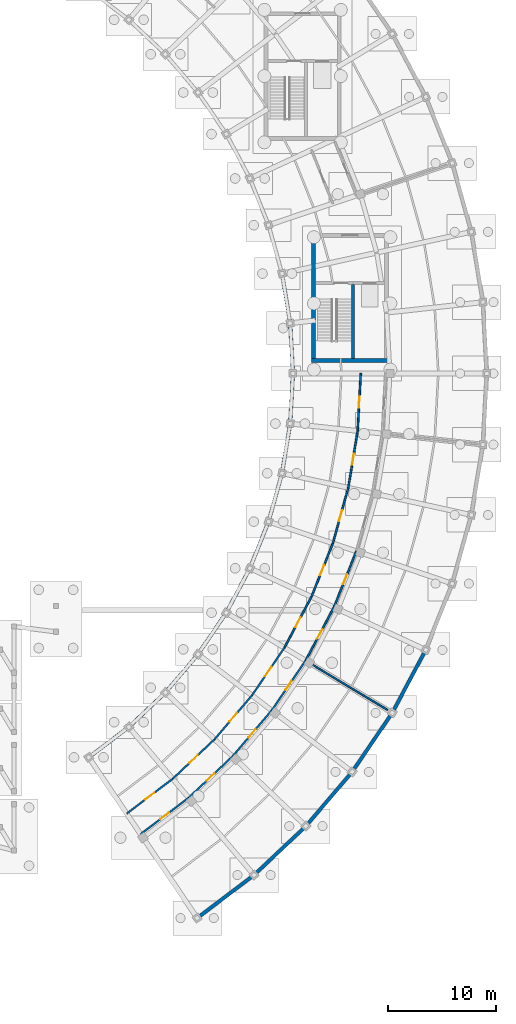
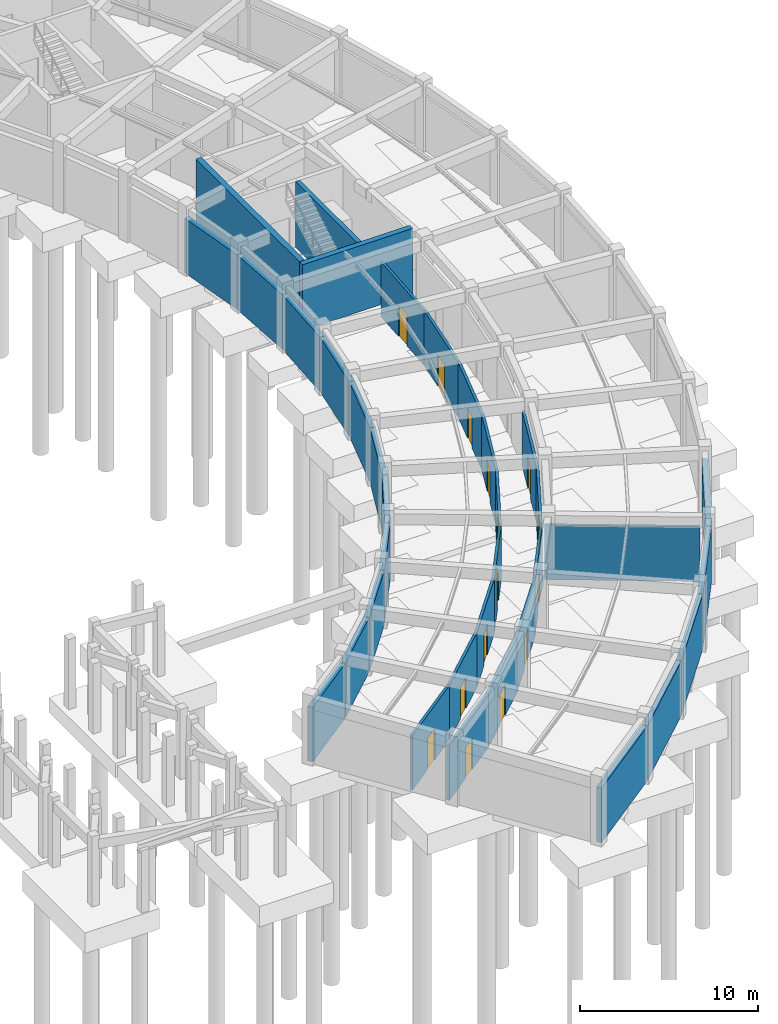
# One storey, part 25 of 42: 35 walls, 15 doors, 15 openings.
"""IFC4 building model written with IfcOpenShell, lengths in metres."""

from ifc_helpers import new_model, si_unit, direction, frame, frame_2d, origin, place, context, subcontext, project, spatial, rectangle, extrude, material, layer, layer_set, type_object, element, fill, save


model = new_model("IFC4")

# Units and contexts
model_context = context("Model", 3, precision=1e-05, world=origin(), true_north=direction((0.0, 1.0)))
body_context = subcontext(model_context, "Body", "Model", "MODEL_VIEW")
ifc_project = project(units=[si_unit("LENGTHUNIT", "METRE"), si_unit("AREAUNIT", "SQUARE_METRE"), si_unit("VOLUMEUNIT", "CUBIC_METRE"), si_unit("PLANEANGLEUNIT", "RADIAN"), si_unit("MASSUNIT", "GRAM", prefix="KILO")], contexts=[model_context])

# Site, building, storey
site_placement = place(None, origin())
site = spatial("IfcSite", under=ifc_project, at=site_placement, CompositionType="ELEMENT")
building_placement = place(site_placement, origin())
building = spatial("IfcBuilding", under=site, at=building_placement, Name="Tarnveldt Headland Concert Hall", CompositionType="ELEMENT")
storey_placement = place(building_placement, frame((0.0, 0.0, -4.800048828125)))
storey = spatial("IfcBuildingStorey", under=building, at=storey_placement, Name="B1", CompositionType="ELEMENT", Elevation=-4.800048828125)

# Walls
ifc_material_1 = material(Name="Concrete C40/50", Category="concrete")
ifc_layer_1 = layer(ifc_material_1, 0.35009765625, Name="Concrete C40/50", Category="concrete")
ifc_layer_set_1 = layer_set([ifc_layer_1], Name="Concrete C40/50")
wall_type_1 = type_object("IfcWallType", Name="WL-CR350", PredefinedType="SHEAR", material=ifc_layer_set_1)
wall_1_placement = place(storey_placement, frame((162.22509765625, 61.199951171875, 0.0), z_axis=(0.0, 0.0, 1.0), x_axis=(1.0, 0.0, 0.0)))
element("IfcWall", 1, at=wall_1_placement, inside=storey, type_object=wall_type_1, Name="Core C4 south shear wall B1", PredefinedType="SHEAR", context=body_context, shape_type="SweptSolid", body=[
    extrude(rectangle(XDim=7.14990234375, YDim=0.35009765625, at=frame_2d((3.574951171875, 0.0))), origin(), (0.0, 0.0, 1.0), 4.5),
])
wall_2_placement = place(storey_placement, frame((162.39990234375, 61.375, 0.0), z_axis=(0.0, 0.0, 1.0), x_axis=(0.0, 1.0, 0.0)))
element("IfcWall", 2, at=wall_2_placement, inside=storey, type_object=wall_type_1, Name="Core C4 west shear wall B1", PredefinedType="SHEAR", context=body_context, shape_type="SweptSolid", body=[
    extrude(rectangle(XDim=11.60009765625, YDim=0.35009765625, at=frame_2d((5.800048828125, 0.0))), origin(), (0.0, 0.0, 1.0), 4.5),
])
ifc_material_2 = material(Name="Coral-toned precast concrete C40/50", Category="concrete")
ifc_layer_2 = layer(ifc_material_2, 0.324951171875, Name="Coral-toned precast concrete C40/50", Category="concrete")
ifc_layer_set_2 = layer_set([ifc_layer_2], Name="Coral-toned precast concrete C40/50")
wall_type_2 = type_object("IfcWallType", Name="WL-EX325", PredefinedType="SOLIDWALL", material=ifc_layer_set_2)
wall_3_placement = place(storey_placement, frame((141.561279296875, 24.363525390625, 0.0), z_axis=(0.0, 0.0, 1.0), x_axis=(0.797466762723, 0.603362877837, 0.0)))
element("IfcWall", 3, at=wall_3_placement, inside=storey, type_object=wall_type_2, Name="External precast wall B1-47", PredefinedType="SOLIDWALL", context=body_context, shape_type="SweptSolid", body=[
    extrude(rectangle(XDim=4.62744140625, YDim=0.324951171875, at=frame_2d((2.313720703125, 0.0))), origin(), (0.0, 0.0, 1.0), 3.738037109375),
])
wall_4_placement = place(storey_placement, frame((156.875, 13.41162109375, 0.0), z_axis=(0.0, 0.0, 1.0), x_axis=(-0.797477783019, -0.603348311998, 0.0)))
element("IfcWall", 4, at=wall_4_placement, inside=storey, type_object=wall_type_2, Name="External precast wall B1-48", PredefinedType="SOLIDWALL", context=body_context, shape_type="SweptSolid", body=[
    extrude(rectangle(XDim=6.5810546875, YDim=0.324951171875, at=frame_2d((3.29052734375, 0.0))), origin(), (0.0, 0.0, 1.0), 3.738037109375),
])
wall_5_placement = place(storey_placement, frame((145.281982421875, 27.18115234375, 0.0), z_axis=(0.0, 0.0, 1.0), x_axis=(0.727383217963, 0.686231487346, 0.0)))
element("IfcWall", 5, at=wall_5_placement, inside=storey, type_object=wall_type_2, Name="External precast wall B1-49", PredefinedType="SOLIDWALL", context=body_context, shape_type="SweptSolid", body=[
    extrude(rectangle(XDim=4.62744140625, YDim=0.324951171875, at=frame_2d((2.313720703125, 0.0))), origin(), (0.0, 0.0, 1.0), 3.738037109375),
])
wall_6_placement = place(storey_placement, frame((161.692626953125, 17.953857421875, 0.0), z_axis=(0.0, 0.0, 1.0), x_axis=(-0.727377231984, -0.686237832235, 0.0)))
element("IfcWall", 6, at=wall_6_placement, inside=storey, type_object=wall_type_2, Name="External precast wall B1-50", PredefinedType="SOLIDWALL", context=body_context, shape_type="SweptSolid", body=[
    extrude(rectangle(XDim=6.581298828125, YDim=0.324951171875, at=frame_2d((3.29052734375, 0.0))), origin(), (0.0, 0.0, 1.0), 3.738037109375),
])
wall_7_placement = place(storey_placement, frame((148.67529296875, 30.3857421875, 0.0), z_axis=(0.0, 0.0, 1.0), x_axis=(0.648712136454, 0.761033878363, 0.0)))
element("IfcWall", 7, at=wall_7_placement, inside=storey, type_object=wall_type_2, Name="External precast wall B1-51", PredefinedType="SOLIDWALL", context=body_context, shape_type="SweptSolid", body=[
    extrude(rectangle(XDim=4.62744140625, YDim=0.324951171875, at=frame_2d((2.313720703125, 0.0))), origin(), (0.0, 0.0, 1.0), 3.738037109375),
])
wall_8_placement = place(storey_placement, frame((165.989501953125, 22.9912109375, 0.0), z_axis=(0.0, 0.0, 1.0), x_axis=(-0.648708464949, -0.761037007973, 0.0)))
element("IfcWall", 8, at=wall_8_placement, inside=storey, type_object=wall_type_2, Name="External precast wall B1-52", PredefinedType="SOLIDWALL", context=body_context, shape_type="SweptSolid", body=[
    extrude(rectangle(XDim=6.581298828125, YDim=0.324951171875, at=frame_2d((3.29052734375, 0.0))), origin(), (0.0, 0.0, 1.0), 3.738037109375),
])
wall_9_placement = place(storey_placement, frame((151.701416015625, 33.939208984375, 0.0), z_axis=(0.0, 0.0, 1.0), x_axis=(0.562419692238, 0.826851915268, 0.0)))
element("IfcWall", 9, at=wall_9_placement, inside=storey, type_object=wall_type_2, Name="External precast wall B1-53", PredefinedType="SOLIDWALL", context=body_context, shape_type="SweptSolid", body=[
    extrude(rectangle(XDim=4.62744140625, YDim=0.324951171875, at=frame_2d((2.313720703125, 0.0))), origin(), (0.0, 0.0, 1.0), 3.738037109375),
])
wall_10_placement = place(storey_placement, frame((169.715087890625, 28.46484375, 0.0), z_axis=(0.0, 0.0, 1.0), x_axis=(-0.56240640933, -0.826860950067, 0.0)))
element("IfcWall", 10, at=wall_10_placement, inside=storey, type_object=wall_type_2, Name="External precast wall B1-54", PredefinedType="SOLIDWALL", context=body_context, shape_type="SweptSolid", body=[
    extrude(rectangle(XDim=6.581298828125, YDim=0.324951171875, at=frame_2d((3.29052734375, 0.0))), origin(), (0.0, 0.0, 1.0), 3.738037109375),
])
wall_11_placement = place(storey_placement, frame((154.32470703125, 37.799560546875, 0.0), z_axis=(0.0, 0.0, 1.0), x_axis=(0.469465091098, 0.882951033886, 0.0)))
element("IfcWall", 11, at=wall_11_placement, inside=storey, type_object=wall_type_2, Name="External precast wall B1-55", PredefinedType="SOLIDWALL", context=body_context, shape_type="SweptSolid", body=[
    extrude(rectangle(XDim=4.627197265625, YDim=0.324951171875, at=frame_2d((2.3134765625, 0.0))), origin(), (0.0, 0.0, 1.0), 3.738037109375),
])
wall_12_placement = place(storey_placement, frame((172.8251953125, 34.309814453125, 0.0), z_axis=(0.0, 0.0, 1.0), x_axis=(-0.469465310576, -0.882950917189, 0.0)))
element("IfcWall", 12, at=wall_12_placement, inside=storey, type_object=wall_type_2, Name="External precast wall B1-56", PredefinedType="SOLIDWALL", context=body_context, shape_type="SweptSolid", body=[
    extrude(rectangle(XDim=6.5810546875, YDim=0.324951171875, at=frame_2d((3.29052734375, 0.0))), origin(), (0.0, 0.0, 1.0), 3.738037109375),
])
for number, where, z_axis, x_axis, name in (
    (13, (156.513916015625, 41.921630859375, 0.0), (0.0, 0.0, 1.0), (0.371008589462, 0.92862943446, 0.0), "External precast wall B1-57"),
    (14, (158.243408203125, 46.256591796875, 0.0), (0.0, 0.0, 1.0), (0.268171711462, 0.963371129509, 0.0), "External precast wall B1-59"),
    (15, (159.492919921875, 50.75341796875, 0.0), (0.0, 0.0, 1.0), (0.162182673875, 0.986760751294, 0.0), "External precast wall B1-61"),
    (16, (160.247802734375, 55.359375, 0.0), (0.0, 0.0, 1.0), (0.054236863827, 0.998528098053, 0.0), "External precast wall B1-63"),
    (17, (160.498779296875, 60.02001953125, 0.0), (0.0, 0.0, 1.0), (-0.054236863827, 0.998528098053, 0.0), "External precast wall B1-65"),
    (18, (160.243408203125, 64.680419921875, 0.0), (0.0, 0.0, 1.0), (-0.162182673875, 0.986760751294, 0.0), "External precast wall B1-67"),
):
    element("IfcWall", number, at=place(storey_placement, frame(where, z_axis=z_axis, x_axis=x_axis)), inside=storey, type_object=wall_type_2, Name=name, PredefinedType="SOLIDWALL", context=body_context, shape_type="SweptSolid", body=[
        extrude(rectangle(XDim=4.62744140625, YDim=0.324951171875, at=frame_2d((2.313720703125, 0.0))), origin(), (0.0, 0.0, 1.0), 3.738037109375),
    ])
ifc_material_3 = material(Name="Acoustic multi-layer gypsum and mineral-wool partition", Category="gypsum")
ifc_layer_3 = layer(ifc_material_3, 0.14990234375, Name="Acoustic multi-layer gypsum and mineral-wool partition", Category="gypsum")
ifc_layer_set_3 = layer_set([ifc_layer_3], Name="Acoustic multi-layer gypsum and mineral-wool partition")
wall_type_3 = type_object("IfcWallType", Name="WL-PT150", PredefinedType="PARTITIONING", material=ifc_layer_set_3)
wall_13_placement = place(storey_placement, frame((161.849365234375, 33.235107421875, 0.0), z_axis=(0.0, 0.0, 1.0), x_axis=(0.856165401623, -0.516701853165, 0.0)))
element("IfcWall", 19, at=wall_13_placement, inside=storey, type_object=wall_type_3, Name="Interior acoustic partition B1-122", PredefinedType="PARTITIONING", context=body_context, shape_type="SweptSolid", body=[
    extrude(rectangle(XDim=8.7001953125, YDim=0.14990234375, at=frame_2d((4.35009765625, 0.0))), origin(), (0.0, 0.0, 1.0), 3.739990234375),
])

# Wall, opening, door
ifc_layer_4 = layer(ifc_material_3, 0.1650390625, Name="Acoustic multi-layer gypsum and mineral-wool partition", Category="gypsum")
ifc_layer_set_4 = layer_set([ifc_layer_4], Name="Acoustic multi-layer gypsum and mineral-wool partition")
wall_type_4 = type_object("IfcWallType", Name="WL-PT165", PredefinedType="PARTITIONING", material=ifc_layer_set_4)
wall_14_placement = place(storey_placement, frame((145.068115234375, 19.12841796875, 0.0), z_axis=(0.0, 0.0, 1.0), x_axis=(0.797474612376, 0.603352502784, 0.0)))
wall_14 = element("IfcWall", 20, at=wall_14_placement, inside=storey, type_object=wall_type_4, Name="Interior acoustic partition B1-112", PredefinedType="PARTITIONING", context=body_context, shape_type="SweptSolid", body=[
    extrude(rectangle(XDim=5.351318359375, YDim=0.1650390625, at=frame_2d((2.67578125, 0.0))), origin(), (0.0, 0.0, 1.0), 3.739990234375),
])
opening_1_placement = place(wall_14_placement, frame((2.150634765625, 0.0, 0.0)))
opening_1 = element("IfcOpeningElement", 21, at=opening_1_placement, cuts=wall_14, Name="Opening D-B1-131", PredefinedType="OPENING", context=body_context, shape_type="SweptSolid", body=[
    extrude(rectangle(XDim=1.050048828125, YDim=2.14990234375, at=frame_2d((0.52490234375, 1.074951171875))), frame((0.0, 0.092529296875, 0.0), z_axis=(0.0, -1.0, 0.0), x_axis=(1.0, 0.0, 0.0)), (0.0, 0.0, 1.0), 0.18505859375),
])
ifc_material_4 = material(Name="Treated East African mvule hardwood", Category="wood")
door_type_1 = type_object("IfcDoorType", Name="DR-RM105", OperationType="NOTDEFINED", PredefinedType="DOOR", material=ifc_material_4)
door_1_placement = place(opening_1_placement, origin())
door_1 = element("IfcDoor", 22, at=door_1_placement, inside=storey, type_object=door_type_1, Name="Interior room door B1-131", OperationType="SINGLE_SWING_LEFT", OverallHeight=2.14990234375, OverallWidth=1.050048828125, PredefinedType="DOOR", context=body_context, shape_type="SweptSolid", body=[
    extrude(rectangle(XDim=1.050048828125, YDim=2.14990234375, at=frame_2d((0.52490234375, 1.074951171875))), frame((0.0, 0.02490234375, 0.0), z_axis=(0.0, -1.0, 0.0), x_axis=(1.0, 0.0, 0.0)), (0.0, 0.0, 1.0), 0.050048828125),
])
fill(opening_1, door_1)

wall_15_placement = place(storey_placement, frame((146.3544921875, 17.2216796875, 0.0), z_axis=(0.0, 0.0, 1.0), x_axis=(0.797450601932, 0.603384237015, 0.0)))
wall_15 = element("IfcWall", 23, at=wall_15_placement, inside=storey, type_object=wall_type_4, Name="Interior acoustic partition B1-113", PredefinedType="PARTITIONING", context=body_context, shape_type="SweptSolid", body=[
    extrude(rectangle(XDim=5.600830078125, YDim=0.1650390625, at=frame_2d((2.80029296875, 0.0))), origin(), (0.0, 0.0, 1.0), 3.739990234375),
])
opening_2_placement = place(wall_15_placement, frame((2.30029296875, 0.0, 0.0)))
opening_2 = element("IfcOpeningElement", 24, at=opening_2_placement, cuts=wall_15, Name="Opening D-B1-132", PredefinedType="OPENING", context=body_context, shape_type="SweptSolid", body=[
    extrude(rectangle(XDim=1.0, YDim=2.1201171875, at=frame_2d((0.5, 1.06005859375))), frame((0.0, 0.092529296875, 0.0), z_axis=(0.0, -1.0, 0.0), x_axis=(1.0, 0.0, 0.0)), (0.0, 0.0, 1.0), 0.18505859375),
])
door_type_2 = type_object("IfcDoorType", Name="DR-RM100", OperationType="NOTDEFINED", PredefinedType="DOOR", material=ifc_material_4)
door_2_placement = place(opening_2_placement, origin())
door_2 = element("IfcDoor", 25, at=door_2_placement, inside=storey, type_object=door_type_2, Name="Interior room door B1-132", OperationType="SINGLE_SWING_RIGHT", OverallHeight=2.1201171875, OverallWidth=1.0, PredefinedType="DOOR", context=body_context, shape_type="SweptSolid", body=[
    extrude(rectangle(XDim=1.0, YDim=2.1201171875, at=frame_2d((0.5, 1.06005859375))), frame((0.0, 0.02490234375, 0.0), z_axis=(0.0, -1.0, 0.0), x_axis=(1.0, 0.0, 0.0)), (0.0, 0.0, 1.0), 0.050048828125),
])
fill(opening_2, door_2)

wall_16_placement = place(storey_placement, frame((149.335693359375, 22.357177734375, 0.0), z_axis=(0.0, 0.0, 1.0), x_axis=(0.7273609966, 0.68625504051, 0.0)))
wall_16 = element("IfcWall", 26, at=wall_16_placement, inside=storey, type_object=wall_type_4, Name="Interior acoustic partition B1-114", PredefinedType="PARTITIONING", context=body_context, shape_type="SweptSolid", body=[
    extrude(rectangle(XDim=5.351318359375, YDim=0.1650390625, at=frame_2d((2.67578125, 0.0))), origin(), (0.0, 0.0, 1.0), 3.739990234375),
])
opening_3_placement = place(wall_16_placement, frame((2.150634765625, 0.0, 0.0)))
opening_3 = element("IfcOpeningElement", 27, at=opening_3_placement, cuts=wall_16, Name="Opening D-B1-133", PredefinedType="OPENING", context=body_context, shape_type="SweptSolid", body=[
    extrude(rectangle(XDim=1.050048828125, YDim=2.14990234375, at=frame_2d((0.52490234375, 1.074951171875))), frame((0.0, 0.092529296875, 0.0), z_axis=(0.0, -1.0, 0.0), x_axis=(1.0, 0.0, 0.0)), (0.0, 0.0, 1.0), 0.18505859375),
])
door_3_placement = place(opening_3_placement, origin())
door_3 = element("IfcDoor", 28, at=door_3_placement, inside=storey, type_object=door_type_1, Name="Interior room door B1-133", OperationType="SINGLE_SWING_LEFT", OverallHeight=2.14990234375, OverallWidth=1.050048828125, PredefinedType="DOOR", context=body_context, shape_type="SweptSolid", body=[
    extrude(rectangle(XDim=1.050048828125, YDim=2.14990234375, at=frame_2d((0.52490234375, 1.074951171875))), frame((0.0, 0.02490234375, 0.0), z_axis=(0.0, -1.0, 0.0), x_axis=(1.0, 0.0, 0.0)), (0.0, 0.0, 1.0), 0.050048828125),
])
fill(opening_3, door_3)

wall_17_placement = place(storey_placement, frame((150.82080078125, 20.60107421875, 0.0), z_axis=(0.0, 0.0, 1.0), x_axis=(0.727402273239, 0.686211288807, 0.0)))
wall_17 = element("IfcWall", 29, at=wall_17_placement, inside=storey, type_object=wall_type_4, Name="Interior acoustic partition B1-115", PredefinedType="PARTITIONING", context=body_context, shape_type="SweptSolid", body=[
    extrude(rectangle(XDim=5.60107421875, YDim=0.1650390625, at=frame_2d((2.800537109375, 0.0))), origin(), (0.0, 0.0, 1.0), 3.739990234375),
])
opening_4_placement = place(wall_17_placement, frame((2.300537109375, 0.0, 0.0)))
opening_4 = element("IfcOpeningElement", 30, at=opening_4_placement, cuts=wall_17, Name="Opening D-B1-134", PredefinedType="OPENING", context=body_context, shape_type="SweptSolid", body=[
    extrude(rectangle(XDim=1.0, YDim=2.1201171875, at=frame_2d((0.5, 1.06005859375))), frame((0.0, 0.092529296875, 0.0), z_axis=(0.0, -1.0, 0.0), x_axis=(1.0, 0.0, 0.0)), (0.0, 0.0, 1.0), 0.18505859375),
])
door_4_placement = place(opening_4_placement, origin())
door_4 = element("IfcDoor", 31, at=door_4_placement, inside=storey, type_object=door_type_2, Name="Interior room door B1-134", OperationType="SINGLE_SWING_RIGHT", OverallHeight=2.1201171875, OverallWidth=1.0, PredefinedType="DOOR", context=body_context, shape_type="SweptSolid", body=[
    extrude(rectangle(XDim=1.0, YDim=2.1201171875, at=frame_2d((0.5, 1.06005859375))), frame((0.0, 0.02490234375, 0.0), z_axis=(0.0, -1.0, 0.0), x_axis=(1.0, 0.0, 0.0)), (0.0, 0.0, 1.0), 0.050048828125),
])
fill(opening_4, door_4)

wall_18_placement = place(storey_placement, frame((153.22802734375, 26.029541015625, 0.0), z_axis=(0.0, 0.0, 1.0), x_axis=(0.64871121873, 0.761034660639, 0.0)))
wall_18 = element("IfcWall", 32, at=wall_18_placement, inside=storey, type_object=wall_type_4, Name="Interior acoustic partition B1-116", PredefinedType="PARTITIONING", context=body_context, shape_type="SweptSolid", body=[
    extrude(rectangle(XDim=5.351318359375, YDim=0.1650390625, at=frame_2d((2.67578125, 0.0))), origin(), (0.0, 0.0, 1.0), 3.739990234375),
])
opening_5_placement = place(wall_18_placement, frame((2.150634765625, 0.0, 0.0)))
opening_5 = element("IfcOpeningElement", 33, at=opening_5_placement, cuts=wall_18, Name="Opening D-B1-135", PredefinedType="OPENING", context=body_context, shape_type="SweptSolid", body=[
    extrude(rectangle(XDim=1.050048828125, YDim=2.14990234375, at=frame_2d((0.52490234375, 1.074951171875))), frame((0.0, 0.092529296875, 0.0), z_axis=(0.0, -1.0, 0.0), x_axis=(1.0, 0.0, 0.0)), (0.0, 0.0, 1.0), 0.18505859375),
])
door_5_placement = place(opening_5_placement, origin())
door_5 = element("IfcDoor", 34, at=door_5_placement, inside=storey, type_object=door_type_1, Name="Interior room door B1-135", OperationType="SINGLE_SWING_LEFT", OverallHeight=2.14990234375, OverallWidth=1.050048828125, PredefinedType="DOOR", context=body_context, shape_type="SweptSolid", body=[
    extrude(rectangle(XDim=1.050048828125, YDim=2.14990234375, at=frame_2d((0.52490234375, 1.074951171875))), frame((0.0, 0.02490234375, 0.0), z_axis=(0.0, -1.0, 0.0), x_axis=(1.0, 0.0, 0.0)), (0.0, 0.0, 1.0), 0.050048828125),
])
fill(opening_5, door_5)

wall_19_placement = place(storey_placement, frame((154.89501953125, 24.444580078125, 0.0), z_axis=(0.0, 0.0, 1.0), x_axis=(0.648706861437, 0.761038374804, 0.0)))
wall_19 = element("IfcWall", 35, at=wall_19_placement, inside=storey, type_object=wall_type_4, Name="Interior acoustic partition B1-117", PredefinedType="PARTITIONING", context=body_context, shape_type="SweptSolid", body=[
    extrude(rectangle(XDim=5.600830078125, YDim=0.1650390625, at=frame_2d((2.80029296875, 0.0))), origin(), (0.0, 0.0, 1.0), 3.739990234375),
])
opening_6_placement = place(wall_19_placement, frame((2.30029296875, 0.0, 0.0)))
opening_6 = element("IfcOpeningElement", 36, at=opening_6_placement, cuts=wall_19, Name="Opening D-B1-136", PredefinedType="OPENING", context=body_context, shape_type="SweptSolid", body=[
    extrude(rectangle(XDim=1.0, YDim=2.1201171875, at=frame_2d((0.5, 1.06005859375))), frame((0.0, 0.092529296875, 0.0), z_axis=(0.0, -1.0, 0.0), x_axis=(1.0, 0.0, 0.0)), (0.0, 0.0, 1.0), 0.18505859375),
])
door_6_placement = place(opening_6_placement, origin())
door_6 = element("IfcDoor", 37, at=door_6_placement, inside=storey, type_object=door_type_2, Name="Interior room door B1-136", OperationType="SINGLE_SWING_RIGHT", OverallHeight=2.1201171875, OverallWidth=1.0, PredefinedType="DOOR", context=body_context, shape_type="SweptSolid", body=[
    extrude(rectangle(XDim=1.0, YDim=2.1201171875, at=frame_2d((0.5, 1.06005859375))), frame((0.0, 0.02490234375, 0.0), z_axis=(0.0, -1.0, 0.0), x_axis=(1.0, 0.0, 0.0)), (0.0, 0.0, 1.0), 0.050048828125),
])
fill(opening_6, door_6)

wall_20_placement = place(storey_placement, frame((156.699462890625, 30.10205078125, 0.0), z_axis=(0.0, 0.0, 1.0), x_axis=(0.562414843725, 0.826855213177, 0.0)))
wall_20 = element("IfcWall", 38, at=wall_20_placement, inside=storey, type_object=wall_type_4, Name="Interior acoustic partition B1-118", PredefinedType="PARTITIONING", context=body_context, shape_type="SweptSolid", body=[
    extrude(rectangle(XDim=5.35107421875, YDim=0.1650390625, at=frame_2d((2.675537109375, 0.0))), origin(), (0.0, 0.0, 1.0), 3.739990234375),
])
opening_7_placement = place(wall_20_placement, frame((2.150634765625, 0.0, 0.0)))
opening_7 = element("IfcOpeningElement", 39, at=opening_7_placement, cuts=wall_20, Name="Opening D-B1-137", PredefinedType="OPENING", context=body_context, shape_type="SweptSolid", body=[
    extrude(rectangle(XDim=1.050048828125, YDim=2.14990234375, at=frame_2d((0.52490234375, 1.074951171875))), frame((0.0, 0.092529296875, 0.0), z_axis=(0.0, -1.0, 0.0), x_axis=(1.0, 0.0, 0.0)), (0.0, 0.0, 1.0), 0.18505859375),
])
door_7_placement = place(opening_7_placement, origin())
door_7 = element("IfcDoor", 40, at=door_7_placement, inside=storey, type_object=door_type_1, Name="Interior room door B1-137", OperationType="SINGLE_SWING_LEFT", OverallHeight=2.14990234375, OverallWidth=1.050048828125, PredefinedType="DOOR", context=body_context, shape_type="SweptSolid", body=[
    extrude(rectangle(XDim=1.050048828125, YDim=2.14990234375, at=frame_2d((0.52490234375, 1.074951171875))), frame((0.0, 0.02490234375, 0.0), z_axis=(0.0, -1.0, 0.0), x_axis=(1.0, 0.0, 0.0)), (0.0, 0.0, 1.0), 0.050048828125),
])
fill(opening_7, door_7)

wall_21_placement = place(storey_placement, frame((158.5283203125, 28.70703125, 0.0), z_axis=(0.0, 0.0, 1.0), x_axis=(0.562381554388, 0.826877855118, 0.0)))
wall_21 = element("IfcWall", 41, at=wall_21_placement, inside=storey, type_object=wall_type_4, Name="Interior acoustic partition B1-119", PredefinedType="PARTITIONING", context=body_context, shape_type="SweptSolid", body=[
    extrude(rectangle(XDim=5.60107421875, YDim=0.1650390625, at=frame_2d((2.800537109375, 0.0))), origin(), (0.0, 0.0, 1.0), 3.739990234375),
])
opening_8_placement = place(wall_21_placement, frame((2.300537109375, 0.0, 0.0)))
opening_8 = element("IfcOpeningElement", 42, at=opening_8_placement, cuts=wall_21, Name="Opening D-B1-138", PredefinedType="OPENING", context=body_context, shape_type="SweptSolid", body=[
    extrude(rectangle(XDim=1.0, YDim=2.1201171875, at=frame_2d((0.5, 1.06005859375))), frame((0.0, 0.092529296875, 0.0), z_axis=(0.0, -1.0, 0.0), x_axis=(1.0, 0.0, 0.0)), (0.0, 0.0, 1.0), 0.18505859375),
])
door_8_placement = place(opening_8_placement, origin())
door_8 = element("IfcDoor", 43, at=door_8_placement, inside=storey, type_object=door_type_2, Name="Interior room door B1-138", OperationType="SINGLE_SWING_RIGHT", OverallHeight=2.1201171875, OverallWidth=1.0, PredefinedType="DOOR", context=body_context, shape_type="SweptSolid", body=[
    extrude(rectangle(XDim=1.0, YDim=2.1201171875, at=frame_2d((0.5, 1.06005859375))), frame((0.0, 0.02490234375, 0.0), z_axis=(0.0, -1.0, 0.0), x_axis=(1.0, 0.0, 0.0)), (0.0, 0.0, 1.0), 0.050048828125),
])
fill(opening_8, door_8)

wall_22_placement = place(storey_placement, frame((159.708984375, 34.526611328125, 0.0), z_axis=(0.0, 0.0, 1.0), x_axis=(0.469446511706, 0.882960912299, 0.0)))
wall_22 = element("IfcWall", 44, at=wall_22_placement, inside=storey, type_object=wall_type_4, Name="Interior acoustic partition B1-120", PredefinedType="PARTITIONING", context=body_context, shape_type="SweptSolid", body=[
    extrude(rectangle(XDim=5.351318359375, YDim=0.1650390625, at=frame_2d((2.67578125, 0.0))), origin(), (0.0, 0.0, 1.0), 3.739990234375),
])
opening_9_placement = place(wall_22_placement, frame((2.150634765625, 0.0, 0.0)))
opening_9 = element("IfcOpeningElement", 45, at=opening_9_placement, cuts=wall_22, Name="Opening D-B1-139", PredefinedType="OPENING", context=body_context, shape_type="SweptSolid", body=[
    extrude(rectangle(XDim=1.050048828125, YDim=2.14990234375, at=frame_2d((0.52490234375, 1.074951171875))), frame((0.0, 0.092529296875, 0.0), z_axis=(0.0, -1.0, 0.0), x_axis=(1.0, 0.0, 0.0)), (0.0, 0.0, 1.0), 0.18505859375),
])
door_9_placement = place(opening_9_placement, origin())
door_9 = element("IfcDoor", 46, at=door_9_placement, inside=storey, type_object=door_type_1, Name="Interior room door B1-139", OperationType="SINGLE_SWING_LEFT", OverallHeight=2.14990234375, OverallWidth=1.050048828125, PredefinedType="DOOR", context=body_context, shape_type="SweptSolid", body=[
    extrude(rectangle(XDim=1.050048828125, YDim=2.14990234375, at=frame_2d((0.52490234375, 1.074951171875))), frame((0.0, 0.02490234375, 0.0), z_axis=(0.0, -1.0, 0.0), x_axis=(1.0, 0.0, 0.0)), (0.0, 0.0, 1.0), 0.050048828125),
])
fill(opening_9, door_9)

wall_23_placement = place(storey_placement, frame((161.67822265625, 33.33837890625, 0.0), z_axis=(0.0, 0.0, 1.0), x_axis=(0.469461155726, 0.882953126312, 0.0)))
wall_23 = element("IfcWall", 47, at=wall_23_placement, inside=storey, type_object=wall_type_4, Name="Interior acoustic partition B1-121", PredefinedType="PARTITIONING", context=body_context, shape_type="SweptSolid", body=[
    extrude(rectangle(XDim=5.600830078125, YDim=0.1650390625, at=frame_2d((2.80029296875, 0.0))), origin(), (0.0, 0.0, 1.0), 3.739990234375),
])
opening_10_placement = place(wall_23_placement, frame((2.300537109375, 0.0, 0.0)))
opening_10 = element("IfcOpeningElement", 48, at=opening_10_placement, cuts=wall_23, Name="Opening D-B1-140", PredefinedType="OPENING", context=body_context, shape_type="SweptSolid", body=[
    extrude(rectangle(XDim=1.0, YDim=2.1201171875, at=frame_2d((0.5, 1.06005859375))), frame((0.0, 0.092529296875, 0.0), z_axis=(0.0, -1.0, 0.0), x_axis=(1.0, 0.0, 0.0)), (0.0, 0.0, 1.0), 0.18505859375),
])
door_10_placement = place(opening_10_placement, origin())
door_10 = element("IfcDoor", 49, at=door_10_placement, inside=storey, type_object=door_type_2, Name="Interior room door B1-140", OperationType="SINGLE_SWING_RIGHT", OverallHeight=2.1201171875, OverallWidth=1.0, PredefinedType="DOOR", context=body_context, shape_type="SweptSolid", body=[
    extrude(rectangle(XDim=1.0, YDim=2.1201171875, at=frame_2d((0.5, 1.06005859375))), frame((0.0, 0.02490234375, 0.0), z_axis=(0.0, -1.0, 0.0), x_axis=(1.0, 0.0, 0.0)), (0.0, 0.0, 1.0), 0.050048828125),
])
fill(opening_10, door_10)

wall_24_placement = place(storey_placement, frame((162.22119140625, 39.251708984375, 0.0), z_axis=(0.0, 0.0, 1.0), x_axis=(0.371052411724, 0.92861192527, 0.0)))
wall_24 = element("IfcWall", 50, at=wall_24_placement, inside=storey, type_object=wall_type_4, Name="Interior acoustic partition B1-123", PredefinedType="PARTITIONING", context=body_context, shape_type="SweptSolid", body=[
    extrude(rectangle(XDim=5.351318359375, YDim=0.1650390625, at=frame_2d((2.67578125, 0.0))), origin(), (0.0, 0.0, 1.0), 3.739990234375),
])
opening_11_placement = place(wall_24_placement, frame((2.150634765625, 0.0, 0.0)))
opening_11 = element("IfcOpeningElement", 51, at=opening_11_placement, cuts=wall_24, Name="Opening D-B1-141", PredefinedType="OPENING", context=body_context, shape_type="SweptSolid", body=[
    extrude(rectangle(XDim=1.050048828125, YDim=2.14990234375, at=frame_2d((0.52490234375, 1.074951171875))), frame((0.0, 0.092529296875, 0.0), z_axis=(0.0, -1.0, 0.0), x_axis=(1.0, 0.0, 0.0)), (0.0, 0.0, 1.0), 0.18505859375),
])
door_11_placement = place(opening_11_placement, origin())
door_11 = element("IfcDoor", 52, at=door_11_placement, inside=storey, type_object=door_type_1, Name="Interior room door B1-141", OperationType="SINGLE_SWING_LEFT", OverallHeight=2.14990234375, OverallWidth=1.050048828125, PredefinedType="DOOR", context=body_context, shape_type="SweptSolid", body=[
    extrude(rectangle(XDim=1.050048828125, YDim=2.14990234375, at=frame_2d((0.52490234375, 1.074951171875))), frame((0.0, 0.02490234375, 0.0), z_axis=(0.0, -1.0, 0.0), x_axis=(1.0, 0.0, 0.0)), (0.0, 0.0, 1.0), 0.050048828125),
])
fill(opening_11, door_11)

wall_25_placement = place(storey_placement, frame((164.3076171875, 38.28369140625, 0.0), z_axis=(0.0, 0.0, 1.0), x_axis=(0.371029911437, 0.928620915562, 0.0)))
wall_25 = element("IfcWall", 53, at=wall_25_placement, inside=storey, type_object=wall_type_4, Name="Interior acoustic partition B1-124", PredefinedType="PARTITIONING", context=body_context, shape_type="SweptSolid", body=[
    extrude(rectangle(XDim=5.60107421875, YDim=0.1650390625, at=frame_2d((2.800537109375, 0.0))), origin(), (0.0, 0.0, 1.0), 3.739990234375),
])
opening_12_placement = place(wall_25_placement, frame((2.300537109375, 0.0, 0.0)))
opening_12 = element("IfcOpeningElement", 54, at=opening_12_placement, cuts=wall_25, Name="Opening D-B1-142", PredefinedType="OPENING", context=body_context, shape_type="SweptSolid", body=[
    extrude(rectangle(XDim=1.0, YDim=2.1201171875, at=frame_2d((0.5, 1.06005859375))), frame((0.0, 0.092529296875, 0.0), z_axis=(0.0, -1.0, 0.0), x_axis=(1.0, 0.0, 0.0)), (0.0, 0.0, 1.0), 0.18505859375),
])
door_12_placement = place(opening_12_placement, origin())
door_12 = element("IfcDoor", 55, at=door_12_placement, inside=storey, type_object=door_type_2, Name="Interior room door B1-142", OperationType="SINGLE_SWING_RIGHT", OverallHeight=2.1201171875, OverallWidth=1.0, PredefinedType="DOOR", context=body_context, shape_type="SweptSolid", body=[
    extrude(rectangle(XDim=1.0, YDim=2.1201171875, at=frame_2d((0.5, 1.06005859375))), frame((0.0, 0.02490234375, 0.0), z_axis=(0.0, -1.0, 0.0), x_axis=(1.0, 0.0, 0.0)), (0.0, 0.0, 1.0), 0.050048828125),
])
fill(opening_12, door_12)

wall_26_placement = place(storey_placement, frame((164.206787109375, 44.220947265625, 0.0), z_axis=(0.0, 0.0, 1.0), x_axis=(0.268128561912, 0.963383139923, 0.0)))
wall_26 = element("IfcWall", 56, at=wall_26_placement, inside=storey, type_object=wall_type_4, Name="Interior acoustic partition B1-125", PredefinedType="PARTITIONING", context=body_context, shape_type="SweptSolid", body=[
    extrude(rectangle(XDim=5.351318359375, YDim=0.1650390625, at=frame_2d((2.67578125, 0.0))), origin(), (0.0, 0.0, 1.0), 3.739990234375),
])
opening_13_placement = place(wall_26_placement, frame((2.150634765625, 0.0, 0.0)))
opening_13 = element("IfcOpeningElement", 57, at=opening_13_placement, cuts=wall_26, Name="Opening D-B1-143", PredefinedType="OPENING", context=body_context, shape_type="SweptSolid", body=[
    extrude(rectangle(XDim=1.050048828125, YDim=2.14990234375, at=frame_2d((0.52490234375, 1.074951171875))), frame((0.0, 0.092529296875, 0.0), z_axis=(0.0, -1.0, 0.0), x_axis=(1.0, 0.0, 0.0)), (0.0, 0.0, 1.0), 0.18505859375),
])
door_13_placement = place(opening_13_placement, origin())
door_13 = element("IfcDoor", 58, at=door_13_placement, inside=storey, type_object=door_type_1, Name="Interior room door B1-143", OperationType="SINGLE_SWING_LEFT", OverallHeight=2.14990234375, OverallWidth=1.050048828125, PredefinedType="DOOR", context=body_context, shape_type="SweptSolid", body=[
    extrude(rectangle(XDim=1.050048828125, YDim=2.14990234375, at=frame_2d((0.52490234375, 1.074951171875))), frame((0.0, 0.02490234375, 0.0), z_axis=(0.0, -1.0, 0.0), x_axis=(1.0, 0.0, 0.0)), (0.0, 0.0, 1.0), 0.050048828125),
])
fill(opening_13, door_13)

wall_27_placement = place(storey_placement, frame((165.6416015625, 49.376220703125, 0.0), z_axis=(0.0, 0.0, 1.0), x_axis=(0.162193820857, 0.986758919127, 0.0)))
wall_27 = element("IfcWall", 59, at=wall_27_placement, inside=storey, type_object=wall_type_4, Name="Interior acoustic partition B1-127", PredefinedType="PARTITIONING", context=body_context, shape_type="SweptSolid", body=[
    extrude(rectangle(XDim=5.35107421875, YDim=0.1650390625, at=frame_2d((2.675537109375, 0.0))), origin(), (0.0, 0.0, 1.0), 3.739990234375),
])
opening_14_placement = place(wall_27_placement, frame((2.150634765625, 0.0, 0.0)))
opening_14 = element("IfcOpeningElement", 60, at=opening_14_placement, cuts=wall_27, Name="Opening D-B1-145", PredefinedType="OPENING", context=body_context, shape_type="SweptSolid", body=[
    extrude(rectangle(XDim=1.050048828125, YDim=2.14990234375, at=frame_2d((0.52490234375, 1.074951171875))), frame((0.0, 0.092529296875, 0.0), z_axis=(0.0, -1.0, 0.0), x_axis=(1.0, 0.0, 0.0)), (0.0, 0.0, 1.0), 0.18505859375),
])
door_14_placement = place(opening_14_placement, origin())
door_14 = element("IfcDoor", 61, at=door_14_placement, inside=storey, type_object=door_type_1, Name="Interior room door B1-145", OperationType="SINGLE_SWING_LEFT", OverallHeight=2.14990234375, OverallWidth=1.050048828125, PredefinedType="DOOR", context=body_context, shape_type="SweptSolid", body=[
    extrude(rectangle(XDim=1.050048828125, YDim=2.14990234375, at=frame_2d((0.52490234375, 1.074951171875))), frame((0.0, 0.02490234375, 0.0), z_axis=(0.0, -1.0, 0.0), x_axis=(1.0, 0.0, 0.0)), (0.0, 0.0, 1.0), 0.050048828125),
])
fill(opening_14, door_14)

wall_28_placement = place(storey_placement, frame((166.509521484375, 54.656494140625, 0.0), z_axis=(0.0, 0.0, 1.0), x_axis=(0.054289989542, 0.998525211016, 0.0)))
wall_28 = element("IfcWall", 62, at=wall_28_placement, inside=storey, type_object=wall_type_4, Name="Interior acoustic partition B1-129", PredefinedType="PARTITIONING", context=body_context, shape_type="SweptSolid", body=[
    extrude(rectangle(XDim=5.351318359375, YDim=0.1650390625, at=frame_2d((2.67578125, 0.0))), origin(), (0.0, 0.0, 1.0), 3.739990234375),
])
opening_15_placement = place(wall_28_placement, frame((2.150634765625, 0.0, 0.0)))
opening_15 = element("IfcOpeningElement", 63, at=opening_15_placement, cuts=wall_28, Name="Opening D-B1-147", PredefinedType="OPENING", context=body_context, shape_type="SweptSolid", body=[
    extrude(rectangle(XDim=1.050048828125, YDim=2.14990234375, at=frame_2d((0.52490234375, 1.074951171875))), frame((0.0, 0.092529296875, 0.0), z_axis=(0.0, -1.0, 0.0), x_axis=(1.0, 0.0, 0.0)), (0.0, 0.0, 1.0), 0.18505859375),
])
door_15_placement = place(opening_15_placement, origin())
door_15 = element("IfcDoor", 64, at=door_15_placement, inside=storey, type_object=door_type_1, Name="Interior room door B1-147", OperationType="SINGLE_SWING_LEFT", OverallHeight=2.14990234375, OverallWidth=1.050048828125, PredefinedType="DOOR", context=body_context, shape_type="SweptSolid", body=[
    extrude(rectangle(XDim=1.050048828125, YDim=2.14990234375, at=frame_2d((0.52490234375, 1.074951171875))), frame((0.0, 0.02490234375, 0.0), z_axis=(0.0, -1.0, 0.0), x_axis=(1.0, 0.0, 0.0)), (0.0, 0.0, 1.0), 0.050048828125),
])
fill(opening_15, door_15)

# Wall
ifc_layer_5 = layer(ifc_material_1, 0.27490234375, Name="Concrete C40/50", Category="concrete")
ifc_layer_set_5 = layer_set([ifc_layer_5], Name="Concrete C40/50")
wall_type_5 = type_object("IfcWallType", Name="WL-SH275", PredefinedType="SHEAR", material=ifc_layer_set_5)
wall_29_placement = place(storey_placement, frame((166.10009765625, 61.375, 0.0), z_axis=(0.0, 0.0, 1.0), x_axis=(0.0, 1.0, 0.0)))
element("IfcWall", 65, at=wall_29_placement, inside=storey, type_object=wall_type_5, Name="Core C4 shaft divider wall B1", PredefinedType="SHEAR", context=body_context, shape_type="SweptSolid", body=[
    extrude(rectangle(XDim=6.887451171875, YDim=0.27490234375, at=frame_2d((3.44384765625, 0.0))), origin(), (0.0, 0.0, 1.0), 4.5),
])

save(model, "model.ifc")
